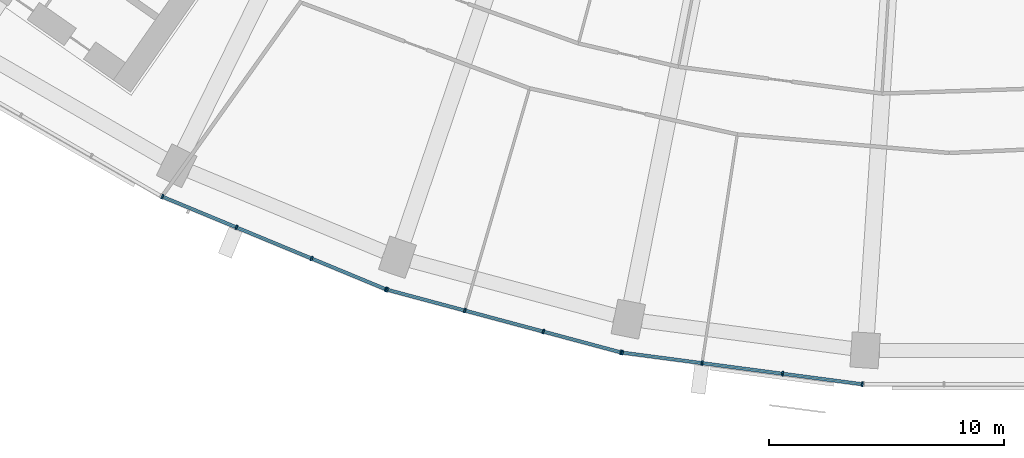
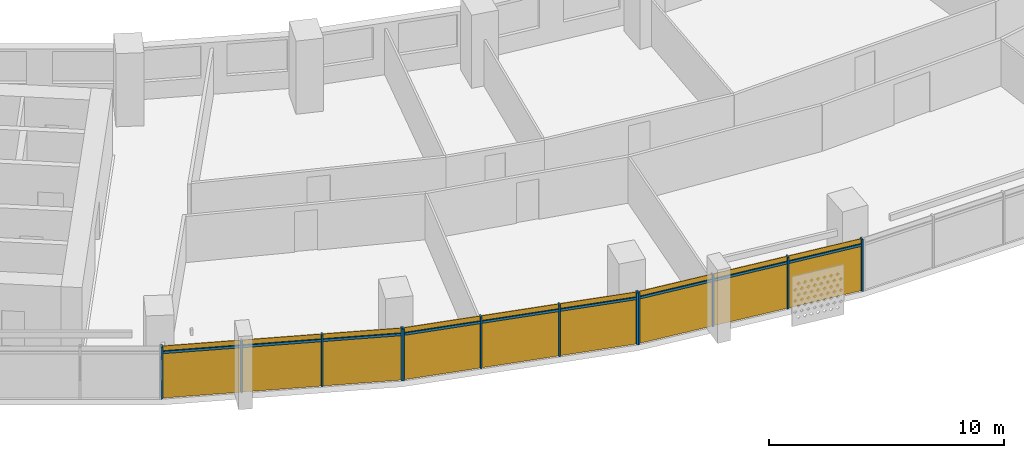
# One storey, part 19 of 30: 21 members, 3 curtain walls.
"""IFC4 building model written with IfcOpenShell, lengths in metres."""

from ifc_helpers import new_model, si_unit, direction, frame, origin, origin_2d, place, context, subcontext, project, spatial, rectangle, extrude, material, material_profile, profile_set, type_object, element, aggregate, save


model = new_model("IFC4")

# Units and contexts
model_context = context("Model", 3, precision=1e-05, world=origin(), true_north=direction((0.0, 1.0)))
body_context = subcontext(model_context, "Body", "Model", "MODEL_VIEW")
ifc_project = project(units=[si_unit("LENGTHUNIT", "METRE"), si_unit("AREAUNIT", "SQUARE_METRE"), si_unit("VOLUMEUNIT", "CUBIC_METRE"), si_unit("PLANEANGLEUNIT", "RADIAN"), si_unit("MASSUNIT", "GRAM", prefix="KILO")], contexts=[model_context])

# Member
ifc_material = material(Name="Aluminium 6063-T6 anodised", Category="aluminium")
ifc_material_profile_1 = material_profile(ifc_material, rectangle(XDim=0.199951171875, YDim=0.070068359375, at=origin_2d()))
ifc_profile_set_1 = profile_set([ifc_material_profile_1], Name="Aluminium 6063-T6 anodised")
member_type_1 = type_object("IfcMemberType", Name="Mullion 70 x 200 aluminium", PredefinedType="MULLION", material=ifc_profile_set_1)
site_placement = place(None, origin())
building_placement = place(site_placement, origin())
storey_placement = place(building_placement, frame((0.0, 0.0, 98.699951171875)))
member_1_placement = place(storey_placement, frame((-35.0029296875, -71.04296875, 0.0), z_axis=(0.0, 0.0, 1.0), x_axis=(0.382683432365, 0.923879532511, 0.0)))
member_1 = element("IfcMember", 1, at=member_1_placement, type_object=member_type_1, Name="e-cw1-L21-out06/M00", PredefinedType="MULLION", context=body_context, shape_type="SweptSolid", body=[
    extrude(rectangle(XDim=0.199951171875, YDim=0.070068359375, at=origin_2d()), origin(), (0.0, 0.0, 1.0), 2.699951171875),
])

member_2_placement = place(storey_placement, frame((-31.8408203125, -72.352783203125, 0.0), z_axis=(0.0, 0.0, 1.0), x_axis=(0.382683432365, 0.923879532511, 0.0)))
member_2 = element("IfcMember", 2, at=member_2_placement, type_object=member_type_1, Name="e-cw1-L21-out06/M01", PredefinedType="MULLION", context=body_context, shape_type="SweptSolid", body=[
    extrude(rectangle(XDim=0.199951171875, YDim=0.070068359375, at=origin_2d()), origin(), (0.0, 0.0, 1.0), 2.699951171875),
])

member_3_placement = place(storey_placement, frame((-28.646240234375, -73.676025390625, 0.0), z_axis=(0.0, 0.0, 1.0), x_axis=(0.382683432365, 0.923879532511, 0.0)))
member_3 = element("IfcMember", 3, at=member_3_placement, type_object=member_type_1, Name="e-cw1-L21-out06/M02", PredefinedType="MULLION", context=body_context, shape_type="SweptSolid", body=[
    extrude(rectangle(XDim=0.199951171875, YDim=0.070068359375, at=origin_2d()), origin(), (0.0, 0.0, 1.0), 2.699951171875),
])

member_4_placement = place(storey_placement, frame((-25.484130859375, -74.98583984375, 0.0), z_axis=(0.0, 0.0, 1.0), x_axis=(0.382683432365, 0.923879532511, 0.0)))
member_4 = element("IfcMember", 4, at=member_4_placement, type_object=member_type_1, Name="e-cw1-L21-out06/M03", PredefinedType="MULLION", context=body_context, shape_type="SweptSolid", body=[
    extrude(rectangle(XDim=0.199951171875, YDim=0.070068359375, at=origin_2d()), origin(), (0.0, 0.0, 1.0), 2.699951171875),
])

member_5_placement = place(storey_placement, frame((-25.430419921875, -75.00390625, 0.0), z_axis=(0.0, 0.0, 1.0), x_axis=(0.258819045103, 0.965925826289, 0.0)))
member_5 = element("IfcMember", 5, at=member_5_placement, type_object=member_type_1, Name="e-cw1-L21-out07/M00", PredefinedType="MULLION", context=body_context, shape_type="SweptSolid", body=[
    extrude(rectangle(XDim=0.199951171875, YDim=0.070068359375, at=origin_2d()), origin(), (0.0, 0.0, 1.0), 2.699951171875),
])

member_6_placement = place(storey_placement, frame((-22.12451171875, -75.889892578125, 0.0), z_axis=(0.0, 0.0, 1.0), x_axis=(0.258819045103, 0.965925826289, 0.0)))
member_6 = element("IfcMember", 6, at=member_6_placement, type_object=member_type_1, Name="e-cw1-L21-out07/M01", PredefinedType="MULLION", context=body_context, shape_type="SweptSolid", body=[
    extrude(rectangle(XDim=0.199951171875, YDim=0.070068359375, at=origin_2d()), origin(), (0.0, 0.0, 1.0), 2.699951171875),
])

member_7_placement = place(storey_placement, frame((-18.78466796875, -76.78466796875, 0.0), z_axis=(0.0, 0.0, 1.0), x_axis=(0.258819045103, 0.965925826289, 0.0)))
member_7 = element("IfcMember", 7, at=member_7_placement, type_object=member_type_1, Name="e-cw1-L21-out07/M02", PredefinedType="MULLION", context=body_context, shape_type="SweptSolid", body=[
    extrude(rectangle(XDim=0.199951171875, YDim=0.070068359375, at=origin_2d()), origin(), (0.0, 0.0, 1.0), 2.699951171875),
])

member_8_placement = place(storey_placement, frame((-15.478515625, -77.670654296875, 0.0), z_axis=(0.0, 0.0, 1.0), x_axis=(0.258819045103, 0.965925826289, 0.0)))
member_8 = element("IfcMember", 8, at=member_8_placement, type_object=member_type_1, Name="e-cw1-L21-out07/M03", PredefinedType="MULLION", context=body_context, shape_type="SweptSolid", body=[
    extrude(rectangle(XDim=0.199951171875, YDim=0.070068359375, at=origin_2d()), origin(), (0.0, 0.0, 1.0), 2.699951171875),
])

member_9_placement = place(storey_placement, frame((-15.4228515625, -77.681640625, 0.0), z_axis=(0.0, 0.0, 1.0), x_axis=(0.13052619222, 0.991444861374, 0.0)))
member_9 = element("IfcMember", 9, at=member_9_placement, type_object=member_type_1, Name="e-cw1-L21-out08/M00", PredefinedType="MULLION", context=body_context, shape_type="SweptSolid", body=[
    extrude(rectangle(XDim=0.199951171875, YDim=0.070068359375, at=origin_2d()), origin(), (0.0, 0.0, 1.0), 2.699951171875),
])

member_10_placement = place(storey_placement, frame((-12.029541015625, -78.12841796875, 0.0), z_axis=(0.0, 0.0, 1.0), x_axis=(0.13052619222, 0.991444861374, 0.0)))
member_10 = element("IfcMember", 10, at=member_10_placement, type_object=member_type_1, Name="e-cw1-L21-out08/M01", PredefinedType="MULLION", context=body_context, shape_type="SweptSolid", body=[
    extrude(rectangle(XDim=0.199951171875, YDim=0.070068359375, at=origin_2d()), origin(), (0.0, 0.0, 1.0), 2.699951171875),
])

member_11_placement = place(storey_placement, frame((-8.6015625, -78.579833984375, 0.0), z_axis=(0.0, 0.0, 1.0), x_axis=(0.13052619222, 0.991444861374, 0.0)))
member_11 = element("IfcMember", 11, at=member_11_placement, type_object=member_type_1, Name="e-cw1-L21-out08/M02", PredefinedType="MULLION", context=body_context, shape_type="SweptSolid", body=[
    extrude(rectangle(XDim=0.199951171875, YDim=0.070068359375, at=origin_2d()), origin(), (0.0, 0.0, 1.0), 2.699951171875),
])

member_12_placement = place(storey_placement, frame((-5.2080078125, -79.026611328125, 0.0), z_axis=(0.0, 0.0, 1.0), x_axis=(0.13052619222, 0.991444861374, 0.0)))
member_12 = element("IfcMember", 12, at=member_12_placement, type_object=member_type_1, Name="e-cw1-L21-out08/M03", PredefinedType="MULLION", context=body_context, shape_type="SweptSolid", body=[
    extrude(rectangle(XDim=0.199951171875, YDim=0.070068359375, at=origin_2d()), origin(), (0.0, 0.0, 1.0), 2.699951171875),
])

ifc_material_profile_2 = material_profile(ifc_material, rectangle(XDim=0.139892578125, YDim=0.1201171875, at=origin_2d()))
ifc_profile_set_2 = profile_set([ifc_material_profile_2], Name="Aluminium 6063-T6 anodised")
member_type_2 = type_object("IfcMemberType", Name="Transom 120 x 140 aluminium", PredefinedType="USERDEFINED", material=ifc_profile_set_2)
member_13_placement = place(storey_placement, frame((-34.970458984375, -71.056396484375, 2.400146484375), z_axis=(0.923882814237, -0.382675509483, 0.0), x_axis=(0.382675509483, 0.923882814237, 0.0)))
member_13 = element("IfcMember", 13, at=member_13_placement, type_object=member_type_2, Name="e-cw1-L21-out06/T00", ObjectType="TRANSOM", PredefinedType="USERDEFINED", context=body_context, shape_type="SweptSolid", body=[
    extrude(rectangle(XDim=0.139892578125, YDim=0.1201171875, at=origin_2d()), origin(), (0.0, 0.0, 1.0), 3.3525390625),
])

member_14_placement = place(storey_placement, frame((-31.808349609375, -72.3662109375, 2.400146484375), z_axis=(0.923874529423, -0.382695510666, 0.0), x_axis=(0.382695510666, 0.923874529423, 0.0)))
member_14 = element("IfcMember", 14, at=member_14_placement, type_object=member_type_2, Name="e-cw1-L21-out06/T01", ObjectType="TRANSOM", PredefinedType="USERDEFINED", context=body_context, shape_type="SweptSolid", body=[
    extrude(rectangle(XDim=0.139892578125, YDim=0.1201171875, at=origin_2d()), origin(), (0.0, 0.0, 1.0), 3.387451171875),
])

member_15_placement = place(storey_placement, frame((-28.614013671875, -73.689453125, 2.400146484375), z_axis=(0.923882814237, -0.382675509483, 0.0), x_axis=(0.382675509483, 0.923882814237, 0.0)))
member_15 = element("IfcMember", 15, at=member_15_placement, type_object=member_type_2, Name="e-cw1-L21-out06/T02", ObjectType="TRANSOM", PredefinedType="USERDEFINED", context=body_context, shape_type="SweptSolid", body=[
    extrude(rectangle(XDim=0.139892578125, YDim=0.1201171875, at=origin_2d()), origin(), (0.0, 0.0, 1.0), 3.3525390625),
])

member_16_placement = place(storey_placement, frame((-25.396728515625, -75.01318359375, 2.400146484375), z_axis=(0.965932125453, -0.258795535157, 0.0), x_axis=(0.258795535157, 0.965932125453, 0.0)))
member_16 = element("IfcMember", 16, at=member_16_placement, type_object=member_type_2, Name="e-cw1-L21-out07/T00", ObjectType="TRANSOM", PredefinedType="USERDEFINED", context=body_context, shape_type="SweptSolid", body=[
    extrude(rectangle(XDim=0.139892578125, YDim=0.1201171875, at=origin_2d()), origin(), (0.0, 0.0, 1.0), 3.352783203125),
])

member_17_placement = place(storey_placement, frame((-22.090576171875, -75.89892578125, 2.400146484375), z_axis=(0.965931646033, -0.258797324547, 0.0), x_axis=(0.258797324547, 0.965931646033, 0.0)))
member_17 = element("IfcMember", 17, at=member_17_placement, type_object=member_type_2, Name="e-cw1-L21-out07/T01", ObjectType="TRANSOM", PredefinedType="USERDEFINED", context=body_context, shape_type="SweptSolid", body=[
    extrude(rectangle(XDim=0.139892578125, YDim=0.1201171875, at=origin_2d()), origin(), (0.0, 0.0, 1.0), 3.3876953125),
])

member_18_placement = place(storey_placement, frame((-18.750732421875, -76.7939453125, 2.400146484375), z_axis=(0.965927247937, -0.258813739382, 0.0), x_axis=(0.258813739382, 0.965927247937, 0.0)))
member_18 = element("IfcMember", 18, at=member_18_placement, type_object=member_type_2, Name="e-cw1-L21-out07/T02", ObjectType="TRANSOM", PredefinedType="USERDEFINED", context=body_context, shape_type="SweptSolid", body=[
    extrude(rectangle(XDim=0.139892578125, YDim=0.1201171875, at=origin_2d()), origin(), (0.0, 0.0, 1.0), 3.3525390625),
])

member_19_placement = place(storey_placement, frame((-15.38818359375, -77.686279296875, 2.400146484375), z_axis=(0.991449089759, -0.130494070426, 0.0), x_axis=(0.130494070426, 0.991449089759, 0.0)))
member_19 = element("IfcMember", 19, at=member_19_placement, type_object=member_type_2, Name="e-cw1-L21-out08/T00", ObjectType="TRANSOM", PredefinedType="USERDEFINED", context=body_context, shape_type="SweptSolid", body=[
    extrude(rectangle(XDim=0.139892578125, YDim=0.1201171875, at=origin_2d()), origin(), (0.0, 0.0, 1.0), 3.3525390625),
])

member_20_placement = place(storey_placement, frame((-11.994873046875, -78.133056640625, 2.400146484375), z_axis=(0.991446198807, -0.130516033004, 0.0), x_axis=(0.130516033004, 0.991446198807, 0.0)))
member_20 = element("IfcMember", 20, at=member_20_placement, type_object=member_type_2, Name="e-cw1-L21-out08/T01", ObjectType="TRANSOM", PredefinedType="USERDEFINED", context=body_context, shape_type="SweptSolid", body=[
    extrude(rectangle(XDim=0.139892578125, YDim=0.1201171875, at=origin_2d()), origin(), (0.0, 0.0, 1.0), 3.3876953125),
])

member_21_placement = place(storey_placement, frame((-8.56689453125, -78.584228515625, 2.400146484375), z_axis=(0.991439665896, -0.130565649721, 0.0), x_axis=(0.130565649721, 0.991439665896, 0.0)))
member_21 = element("IfcMember", 21, at=member_21_placement, type_object=member_type_2, Name="e-cw1-L21-out08/T02", ObjectType="TRANSOM", PredefinedType="USERDEFINED", context=body_context, shape_type="SweptSolid", body=[
    extrude(rectangle(XDim=0.139892578125, YDim=0.1201171875, at=origin_2d()), origin(), (0.0, 0.0, 1.0), 3.352783203125),
])

# Site, building, storey
site = spatial("IfcSite", under=ifc_project, at=site_placement, CompositionType="ELEMENT")
building = spatial("IfcBuilding", under=site, at=building_placement, Name="Qamariyya Broadcast Tower", CompositionType="ELEMENT")
storey = spatial("IfcBuildingStorey", under=building, at=storey_placement, Name="L21", CompositionType="ELEMENT", Elevation=98.699951171875)

# Curtain wall
curtain_wall_type = type_object("IfcCurtainWallType", Name="Unitised curtain wall, anodised aluminium", PredefinedType="NOTDEFINED", material=ifc_material)
curtain_wall_1_placement = place(storey_placement, origin())
curtain_wall_1 = element("IfcCurtainWall", 22, at=curtain_wall_1_placement, inside=storey, type_object=curtain_wall_type, Name="e-cw1-L21-out06", PredefinedType="NOTDEFINED", context=body_context, shape_type="SweptSolid", body=[
    extrude(rectangle(XDim=3.3525390625, YDim=0.031982421875, at=origin_2d()), frame((-33.421875, -71.69775390625, 0.0), x_axis=(0.923872250857, -0.382701011361, 0.0)), (0.0, 0.0, 1.0), 2.340087890625),
    extrude(rectangle(XDim=3.3525390625, YDim=0.031982421875, at=origin_2d()), frame((-33.421875, -71.69775390625, 2.4599609375), x_axis=(0.923872250857, -0.382701011361, 0.0)), (0.0, 0.0, 1.0), 0.239990234375),
    extrude(rectangle(XDim=3.3876953125, YDim=0.031982421875, at=origin_2d()), frame((-30.24365234375, -73.014404296875, 0.0), x_axis=(0.923872250857, -0.382701011361, 0.0)), (0.0, 0.0, 1.0), 2.340087890625),
    extrude(rectangle(XDim=3.3876953125, YDim=0.031982421875, at=origin_2d()), frame((-30.24365234375, -73.014404296875, 2.4599609375), x_axis=(0.923872250857, -0.382701011361, 0.0)), (0.0, 0.0, 1.0), 0.239990234375),
    extrude(rectangle(XDim=3.3525390625, YDim=0.031982421875, at=origin_2d()), frame((-27.065185546875, -74.3310546875, 0.0), x_axis=(0.923872250857, -0.382701011361, 0.0)), (0.0, 0.0, 1.0), 2.340087890625),
    extrude(rectangle(XDim=3.3525390625, YDim=0.031982421875, at=origin_2d()), frame((-27.065185546875, -74.3310546875, 2.4599609375), x_axis=(0.923872250857, -0.382701011361, 0.0)), (0.0, 0.0, 1.0), 0.239990234375),
])

aggregate(curtain_wall_1, [member_1, member_2, member_3, member_4, member_13, member_14, member_15])

curtain_wall_2_placement = place(storey_placement, origin())
curtain_wall_2 = element("IfcCurtainWall", 23, at=curtain_wall_2_placement, inside=storey, type_object=curtain_wall_type, Name="e-cw1-L21-out07", PredefinedType="NOTDEFINED", context=body_context, shape_type="SweptSolid", body=[
    extrude(rectangle(XDim=3.352783203125, YDim=0.031982421875, at=origin_2d()), frame((-23.777587890625, -75.44677734375, 0.0), x_axis=(0.965923677743, -0.258827063454, 0.0)), (0.0, 0.0, 1.0), 2.340087890625),
    extrude(rectangle(XDim=3.352783203125, YDim=0.031982421875, at=origin_2d()), frame((-23.777587890625, -75.44677734375, 2.4599609375), x_axis=(0.965923677743, -0.258827063454, 0.0)), (0.0, 0.0, 1.0), 0.239990234375),
    extrude(rectangle(XDim=3.3876953125, YDim=0.031982421875, at=origin_2d()), frame((-20.45458984375, -76.33740234375, 0.0), x_axis=(0.965923677743, -0.258827063454, 0.0)), (0.0, 0.0, 1.0), 2.340087890625),
    extrude(rectangle(XDim=3.3876953125, YDim=0.031982421875, at=origin_2d()), frame((-20.45458984375, -76.33740234375, 2.4599609375), x_axis=(0.965923677743, -0.258827063454, 0.0)), (0.0, 0.0, 1.0), 0.239990234375),
    extrude(rectangle(XDim=3.352783203125, YDim=0.031982421875, at=origin_2d()), frame((-17.131591796875, -77.227783203125, 0.0), x_axis=(0.965923677743, -0.258827063454, 0.0)), (0.0, 0.0, 1.0), 2.340087890625),
    extrude(rectangle(XDim=3.352783203125, YDim=0.031982421875, at=origin_2d()), frame((-17.131591796875, -77.227783203125, 2.4599609375), x_axis=(0.965923677743, -0.258827063454, 0.0)), (0.0, 0.0, 1.0), 0.239990234375),
])

aggregate(curtain_wall_2, [member_5, member_6, member_7, member_8, member_16, member_17, member_18])

curtain_wall_3_placement = place(storey_placement, origin())
curtain_wall_3 = element("IfcCurtainWall", 24, at=curtain_wall_3_placement, inside=storey, type_object=curtain_wall_type, Name="e-cw1-L21-out08", PredefinedType="NOTDEFINED", context=body_context, shape_type="SweptSolid", body=[
    extrude(rectangle(XDim=3.3525390625, YDim=0.031982421875, at=origin_2d()), frame((-13.72607421875, -77.9052734375, 0.0), x_axis=(0.991447084105, -0.13050930779, 0.0)), (0.0, 0.0, 1.0), 2.340087890625),
    extrude(rectangle(XDim=3.3525390625, YDim=0.031982421875, at=origin_2d()), frame((-13.72607421875, -77.9052734375, 2.4599609375), x_axis=(0.991447084105, -0.13050930779, 0.0)), (0.0, 0.0, 1.0), 0.239990234375),
    extrude(rectangle(XDim=3.3876953125, YDim=0.031982421875, at=origin_2d()), frame((-10.3154296875, -78.35400390625, 0.0), x_axis=(0.991447084105, -0.13050930779, 0.0)), (0.0, 0.0, 1.0), 2.340087890625),
    extrude(rectangle(XDim=3.3876953125, YDim=0.031982421875, at=origin_2d()), frame((-10.3154296875, -78.35400390625, 2.4599609375), x_axis=(0.991447084105, -0.13050930779, 0.0)), (0.0, 0.0, 1.0), 0.239990234375),
    extrude(rectangle(XDim=3.3525390625, YDim=0.031982421875, at=origin_2d()), frame((-6.90478515625, -78.802978515625, 0.0), x_axis=(0.991447084105, -0.13050930779, 0.0)), (0.0, 0.0, 1.0), 2.340087890625),
    extrude(rectangle(XDim=3.3525390625, YDim=0.031982421875, at=origin_2d()), frame((-6.90478515625, -78.802978515625, 2.4599609375), x_axis=(0.991447084105, -0.13050930779, 0.0)), (0.0, 0.0, 1.0), 0.239990234375),
])

aggregate(curtain_wall_3, [member_9, member_10, member_11, member_12, member_19, member_20, member_21])

save(model, "model.ifc")
